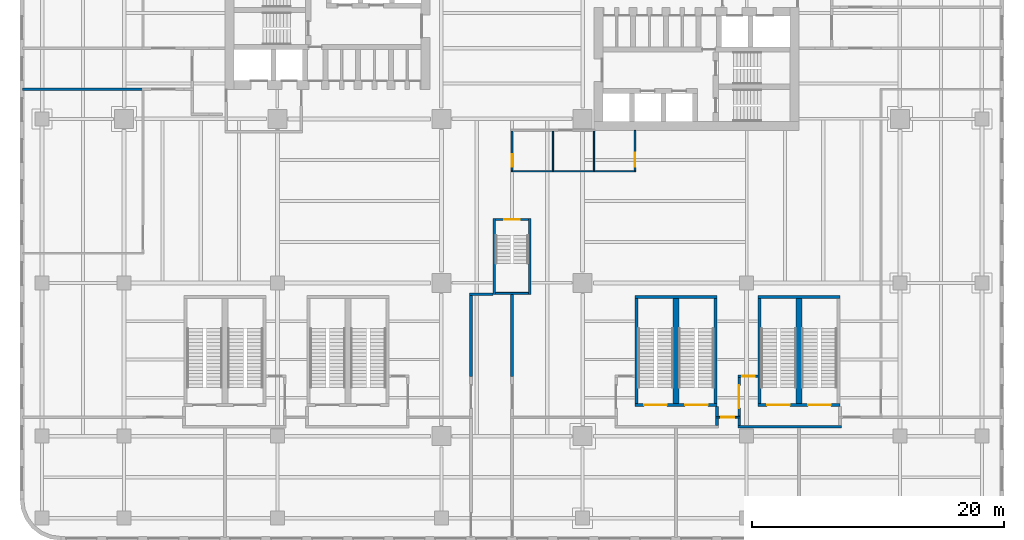
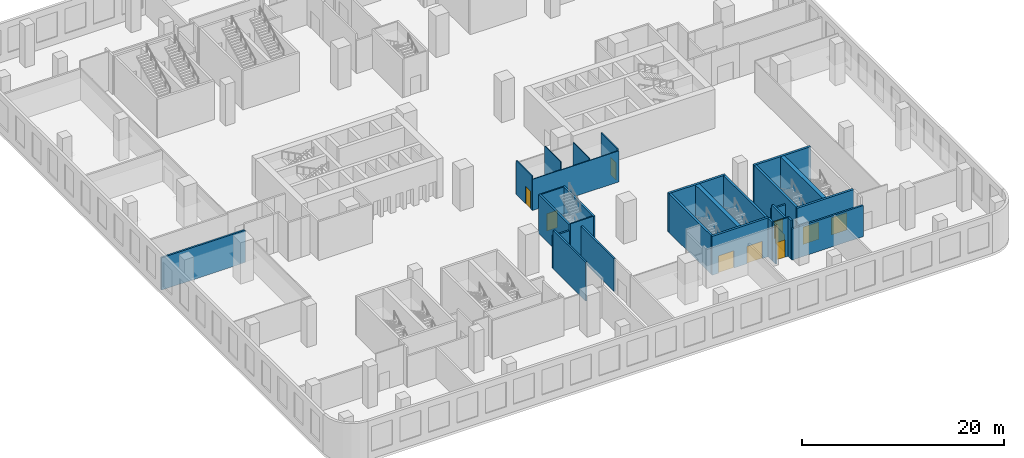
# One storey, part 7 of 17: 29 walls, 10 doors, 10 openings.
"""IFC4 building model written with IfcOpenShell, lengths in metres."""

import ifcopenshell
import ifcopenshell.guid

model = None  # the IFC model being written
_history = None  # IfcOwnerHistory: only IFC2X3 demands one
_inside = {}  # id of a spatial element -> (the spatial element, [elements in it])
_under = {}  # id of a project, library or spatial element -> (it, [spatial elements below it])
_declared = {}  # id of a project -> (the project, [libraries it declares])
_typed = {}  # id of a type object -> (the type object, [elements of that type])
_made_of = {}  # id of a material, layer set ... -> (it, [elements and type objects made of it])


def new_model(schema):
    """Start an empty IFC model of exactly this schema.

    Asked for "IFC4X3", IfcOpenShell would pick the latest addendum, in which some entities
    have other attributes; the version numbers below select the first issue.
    IFC2X3 requires an IfcOwnerHistory on every rooted entity: one is made here for all.
    """
    global model, _history
    if schema == "IFC4X3":
        model = ifcopenshell.file(schema_version=(4, 3, 0, 0))
    else:
        model = ifcopenshell.file(schema=schema)
    _inside.clear()
    _under.clear()
    _declared.clear()
    _typed.clear()
    _made_of.clear()
    _history = None
    if model.schema == "IFC2X3":
        org = make("IfcOrganization", Name="unknown")
        user = make(
            "IfcPersonAndOrganization",
            ThePerson=make("IfcPerson", FamilyName="unknown"),
            TheOrganization=org,
        )
        app = make(
            "IfcApplication",
            ApplicationDeveloper=org,
            Version="unknown",
            ApplicationFullName="unknown",
            ApplicationIdentifier="unknown",
        )
        _history = make(
            "IfcOwnerHistory",
            OwningUser=user,
            OwningApplication=app,
            ChangeAction="ADDED",
            CreationDate=0,
        )
    return model


def make(cls, **values):
    """One entity of the class cls with the attributes given. An attribute that is None is left unset."""
    return model.create_entity(
        cls, **{name: value for name, value in values.items() if value is not None}
    )


def rooted(cls, **values):
    """An entity with a GlobalId (a new one), such as an element, a storey or a relation."""
    return make(cls, GlobalId=ifcopenshell.guid.new(), OwnerHistory=_history, **values)


def si_unit(unit_type, name, prefix=None):
    """IfcSIUnit, for example si_unit("LENGTHUNIT", "METRE", prefix="MILLI")."""
    return make("IfcSIUnit", UnitType=unit_type, Prefix=prefix, Name=name)


def assignment(units):
    """IfcUnitAssignment: the units of a project."""
    return None if units is None else make("IfcUnitAssignment", Units=units)


def point(xyz):
    """IfcCartesianPoint."""
    return None if xyz is None else make("IfcCartesianPoint", Coordinates=xyz)


def direction(xyz):
    """IfcDirection."""
    return None if xyz is None else make("IfcDirection", DirectionRatios=xyz)


def frame(location, z_axis=None, x_axis=None):
    """IfcAxis2Placement3D, a coordinate frame: its origin and axes. An axis left out is left unset."""
    return make(
        "IfcAxis2Placement3D",
        Location=point(location),
        Axis=direction(z_axis),
        RefDirection=direction(x_axis),
    )


def frame_2d(location, x_axis=None):
    """IfcAxis2Placement2D, a coordinate frame in the plane: its origin and x axis."""
    return make(
        "IfcAxis2Placement2D", Location=point(location), RefDirection=direction(x_axis)
    )


def origin():
    """The frame at (0, 0, 0) with its axes left unset."""
    return frame((0.0, 0.0, 0.0))


def place(relative_to, where):
    """IfcLocalPlacement: puts the frame where relative to a parent placement (None: the world)."""
    return make(
        "IfcLocalPlacement", PlacementRelTo=relative_to, RelativePlacement=where
    )


def context(
    kind, dimensions, precision=None, world=None, true_north=None, identifier=None
):
    """IfcGeometricRepresentationContext, for example the 3D "Model" context."""
    return make(
        "IfcGeometricRepresentationContext",
        ContextIdentifier=identifier,
        ContextType=kind,
        CoordinateSpaceDimension=dimensions,
        Precision=precision,
        WorldCoordinateSystem=world,
        TrueNorth=true_north,
    )


def subcontext(parent, identifier, kind, view, scale=None):
    """IfcGeometricRepresentationSubContext, for example "Body" below "Model"."""
    return make(
        "IfcGeometricRepresentationSubContext",
        ContextIdentifier=identifier,
        ContextType=kind,
        ParentContext=parent,
        TargetScale=scale,
        TargetView=view,
    )


def project(units=None, contexts=None):
    """IfcProject with its units and contexts."""
    return rooted(
        "IfcProject",
        Name="project",
        RepresentationContexts=contexts,
        UnitsInContext=assignment(units),
    )


def spatial(cls, under=None, at=None, **own):
    """A site, building, storey or space (cls), placed at a placement, below another one or the project."""
    s = rooted(cls, ObjectPlacement=at, **own)
    if under is not None:
        _under.setdefault(under.id(), (under, []))[1].append(s)
    return s


def profile(cls, at=None, kind="AREA", **sizes):
    """A parametric profile (cls). Its sizes go by their IFC names, for example OverallWidth=200.0."""
    return make(cls, ProfileType=kind, Position=at, **sizes)


def rectangle(**sizes):
    """IfcRectangleProfileDef."""
    return profile("IfcRectangleProfileDef", **sizes)


def extrude(swept, where, along, depth):
    """IfcExtrudedAreaSolid: the profile swept, set in the frame where, extruded along a direction by depth."""
    return make(
        "IfcExtrudedAreaSolid",
        SweptArea=swept,
        Position=where,
        ExtrudedDirection=direction(along),
        Depth=depth,
    )


def shape(context_of_items, identifier, shape_type, items):
    """IfcShapeRepresentation: the items that make up one representation, for example the "Body"."""
    return make(
        "IfcShapeRepresentation",
        ContextOfItems=context_of_items,
        RepresentationIdentifier=identifier,
        RepresentationType=shape_type,
        Items=items,
    )


def source(mapping_origin, context_of_items, identifier, shape_type, items):
    """IfcRepresentationMap: a shape defined once, which mapped items show again and again."""
    return make(
        "IfcRepresentationMap",
        MappingOrigin=mapping_origin,
        MappedRepresentation=shape(context_of_items, identifier, shape_type, items),
    )


def transform(
    local_origin,
    x_axis=None,
    y_axis=None,
    z_axis=None,
    scale=None,
    scale2=None,
    scale3=None,
    uniform=True,
):
    """IfcCartesianTransformationOperator3D, or its non-uniform kind. x_axis, y_axis, z_axis: its Axis1, 2, 3."""
    if uniform:
        return make(
            "IfcCartesianTransformationOperator3D",
            Axis1=direction(x_axis),
            Axis2=direction(y_axis),
            LocalOrigin=point(local_origin),
            Scale=scale,
            Axis3=direction(z_axis),
        )
    return make(
        "IfcCartesianTransformationOperator3DnonUniform",
        Axis1=direction(x_axis),
        Axis2=direction(y_axis),
        LocalOrigin=point(local_origin),
        Scale=scale,
        Axis3=direction(z_axis),
        Scale2=scale2,
        Scale3=scale3,
    )


def mapped(mapping_source, mapping_target):
    """IfcMappedItem: shows the shape of a source again, moved by a transform."""
    return make(
        "IfcMappedItem", MappingSource=mapping_source, MappingTarget=mapping_target
    )


def material(Name=None, Category=None):
    """IfcMaterial."""
    return make("IfcMaterial", Name=Name, Category=Category)


def layer(
    of_material, thickness, ventilated=None, Name=None, Category=None, Priority=None
):
    """IfcMaterialLayer: one layer of a wall or slab, of a material (None: an air gap)."""
    return make(
        "IfcMaterialLayer",
        Material=of_material,
        LayerThickness=thickness,
        IsVentilated=ventilated,
        Name=Name,
        Category=Category,
        Priority=Priority,
    )


def layer_set(layers, Name=None):
    """IfcMaterialLayerSet."""
    return make("IfcMaterialLayerSet", MaterialLayers=layers, LayerSetName=Name)


def made_of(thing, what):
    """Note that an element or type object is made of a material, layer set ...; save() writes the relation."""
    if what is not None:
        _made_of.setdefault(what.id(), (what, []))[1].append(thing)
    return thing


def type_object(cls, material=None, **own):
    """A type object (cls), such as IfcWallType, which elements share."""
    return made_of(rooted(cls, **own), material)


def element(
    cls,
    number,
    at=None,
    inside=None,
    cuts=None,
    type_object=None,
    material=None,
    context=None,
    identifier="Body",
    shape_type=None,
    held_by="IfcProductDefinitionShape",
    body=None,
    shapes=None,
    **own,
):
    """One element of the class cls, such as IfcWall. Its Tag is "e" and its number.

    at: its placement. inside: the storey or other place that contains it. cuts: it is an
    opening in that element (IfcRelVoidsElement). A single representation is given by context,
    identifier, shape_type and body (its items); several are given by shapes. held_by: the class
    of the entity that holds the representations. save() writes the other relations.
    """
    e = rooted(cls, Tag="e%d" % number, ObjectPlacement=at, **own)
    if body is not None:
        shapes = [shape(context, identifier, shape_type, body)]
    if shapes is not None:
        e.Representation = make(held_by, Representations=shapes)
    if inside is not None:
        _inside.setdefault(inside.id(), (inside, []))[1].append(e)
    if cuts is not None:
        rooted(
            "IfcRelVoidsElement", RelatingBuildingElement=cuts, RelatedOpeningElement=e
        )
    if type_object is not None:
        _typed.setdefault(type_object.id(), (type_object, []))[1].append(e)
    return made_of(e, material)


def fill(opening, filler):
    """IfcRelFillsElement: the door or window that sits in an opening."""
    return rooted(
        "IfcRelFillsElement",
        RelatingOpeningElement=opening,
        RelatedBuildingElement=filler,
    )


def aggregate(whole, parts):
    """IfcRelAggregates: a whole, such as a stair, and the parts it consists of."""
    return rooted("IfcRelAggregates", RelatingObject=whole, RelatedObjects=parts)


def save(model, path):
    """Write the relations noted so far, then the file.

    IfcRelAggregates (storeys below a building ...), IfcRelContainedInSpatialStructure (elements
    in a storey), IfcRelDefinesByType, IfcRelAssociatesMaterial and IfcRelDeclares: one each for
    every whole, place, type object, material and project.
    """
    for whole, parts in _under.values():
        aggregate(whole, parts)
    for where, things in _inside.values():
        rooted(
            "IfcRelContainedInSpatialStructure",
            RelatedElements=things,
            RelatingStructure=where,
        )
    for kind, things in _typed.values():
        rooted("IfcRelDefinesByType", RelatedObjects=things, RelatingType=kind)
    for what, things in _made_of.values():
        rooted("IfcRelAssociatesMaterial", RelatedObjects=things, RelatingMaterial=what)
    for by, libraries in _declared.values():
        rooted("IfcRelDeclares", RelatingContext=by, RelatedDefinitions=libraries)
    model.write(path)


model = new_model("IFC4")

# Units and contexts
model_context = context("Model", 3, precision=1e-05, world=origin(), true_north=direction((0.0, 1.0)))
body_context = subcontext(model_context, "Body", "Model", "MODEL_VIEW")
ifc_project = project(units=[si_unit("LENGTHUNIT", "METRE"), si_unit("AREAUNIT", "SQUARE_METRE"), si_unit("VOLUMEUNIT", "CUBIC_METRE"), si_unit("PLANEANGLEUNIT", "RADIAN"), si_unit("MASSUNIT", "GRAM", prefix="KILO")], contexts=[model_context])

# Site, building, storey
site_placement = place(None, origin())
site = spatial("IfcSite", under=ifc_project, at=site_placement, CompositionType="ELEMENT")
building_placement = place(site_placement, origin())
building = spatial("IfcBuilding", under=site, at=building_placement, Name="Trellis Farm Tower", CompositionType="ELEMENT")
storey_placement = place(building_placement, frame((0.0, 0.0, 19.0)))
storey = spatial("IfcBuildingStorey", under=building, at=storey_placement, Name="L03", CompositionType="ELEMENT", Elevation=19.0)

# Walls
ifc_material_1 = material(Name="Concrete C80/95", Category="concrete")
ifc_layer_1 = layer(ifc_material_1, 0.199951171875)
ifc_layer_set_1 = layer_set([ifc_layer_1], Name="CORE STAIR ENCLOSURE WALL 200 CONCRETE C80/95")
wall_type_1 = type_object("IfcWallType", Name="CORE STAIR ENCLOSURE WALL 200 CONCRETE C80/95", PredefinedType="SHEAR", material=ifc_layer_set_1)
shared_shape_1 = source(origin(), body_context, "Body", "SweptSolid", [
    extrude(rectangle(XDim=6.0, YDim=0.199951171875, at=frame_2d((3.0, 0.0))), origin(), (0.0, 0.0, 1.0), 4.699951171875),
])
for number, where, z_axis, x_axis, name in (
    (1, (1.39990234375, -13.5, 0.0), (0.0, 0.0, 1.0), (0.0, -1.0, 0.0), "Stair enclosure wall"),
    (2, (-1.39990234375, -13.5, 0.0), (0.0, 0.0, 1.0), (0.0, -1.0, 0.0), "Stair enclosure wall"),
):
    element("IfcWall", number, at=place(storey_placement, frame(where, z_axis=z_axis, x_axis=x_axis)), inside=storey, type_object=wall_type_1, Name=name, PredefinedType="SHEAR", context=body_context, shape_type="MappedRepresentation", body=[
        mapped(shared_shape_1, transform((0.0, 0.0, 0.0))),
    ])

# Wall, opening, door
ifc_layer_2 = layer(ifc_material_1, 0.14990234375)
ifc_layer_set_2 = layer_set([ifc_layer_2], Name="CORE STAIR ENCLOSURE WALL 150 CONCRETE C80/95")
wall_type_2 = type_object("IfcWallType", Name="CORE STAIR ENCLOSURE WALL 150 CONCRETE C80/95", PredefinedType="SHEAR", material=ifc_layer_set_2)
shared_shape_2 = source(origin(), body_context, "Body", "SweptSolid", [
    extrude(rectangle(XDim=2.60009765625, YDim=0.14990234375, at=frame_2d((1.300048828125, 0.0))), origin(), (0.0, 0.0, 1.0), 4.699951171875),
])
wall_1_placement = place(storey_placement, frame((1.300048828125, -13.574951171875, 0.0), z_axis=(0.0, 0.0, 1.0), x_axis=(-1.0, 0.0, 0.0)))
wall_1 = element("IfcWall", 3, at=wall_1_placement, inside=storey, type_object=wall_type_2, Name="Stair enclosure wall", PredefinedType="SHEAR", context=body_context, shape_type="MappedRepresentation", body=[
    mapped(shared_shape_2, transform((0.0, 0.0, 0.0))),
])
shared_shape_3 = source(origin(), body_context, "Body", "SweptSolid", [
    extrude(rectangle(XDim=1.199951171875, YDim=2.10009765625, at=frame_2d((0.60009765625, 1.050048828125))), frame((0.0, 0.0849609375, 0.0), z_axis=(0.0, -1.0, 0.0), x_axis=(1.0, 0.0, 0.0)), (0.0, 0.0, 1.0), 0.169921875),
])
opening_1_placement = place(wall_1_placement, frame((0.699951171875, 0.0, 0.0)))
opening_1 = element("IfcOpeningElement", 4, at=opening_1_placement, cuts=wall_1, Name="Opening DC174", PredefinedType="OPENING", context=body_context, shape_type="MappedRepresentation", body=[
    mapped(shared_shape_3, transform((0.0, 0.0, 0.0))),
])
ifc_material_2 = material(Name="Steel", Category="steel")
door_type_1 = type_object("IfcDoorType", Name="CORE FIRE DOOR 1200 X 2100", OperationType="NOTDEFINED", PredefinedType="DOOR", material=ifc_material_2)
shared_shape_4 = source(origin(), body_context, "Body", "SweptSolid", [
    extrude(rectangle(XDim=1.199951171875, YDim=2.10009765625, at=frame_2d((0.60009765625, 1.050048828125))), frame((0.0, 0.02490234375, 0.0), z_axis=(0.0, -1.0, 0.0), x_axis=(1.0, 0.0, 0.0)), (0.0, 0.0, 1.0), 0.050048828125),
])
door_1_placement = place(opening_1_placement, origin())
door_1 = element("IfcDoor", 5, at=door_1_placement, inside=storey, type_object=door_type_1, Name="Core door", OperationType="SINGLE_SWING_RIGHT", OverallHeight=2.10009765625, OverallWidth=1.199951171875, PredefinedType="DOOR", context=body_context, shape_type="MappedRepresentation", body=[
    mapped(shared_shape_4, transform((0.0, 0.0, 0.0))),
])
fill(opening_1, door_1)

# Wall
wall_2_placement = place(storey_placement, frame((1.300048828125, -19.425048828125, 0.0), z_axis=(0.0, 0.0, 1.0), x_axis=(-1.0, 0.0, 0.0)))
element("IfcWall", 6, at=wall_2_placement, inside=storey, type_object=wall_type_2, Name="Stair enclosure wall", PredefinedType="SHEAR", context=body_context, shape_type="MappedRepresentation", body=[
    mapped(shared_shape_2, transform((0.0, 0.0, 0.0))),
])

# Wall, openings, doors
ifc_layer_3 = layer(ifc_material_1, 0.25)
ifc_layer_set_3 = layer_set([ifc_layer_3], Name="CORE STAIR ENCLOSURE WALL 250 CONCRETE C80/95")
wall_type_3 = type_object("IfcWallType", Name="CORE STAIR ENCLOSURE WALL 250 CONCRETE C80/95", PredefinedType="SHEAR", material=ifc_layer_set_3)
shared_shape_5 = source(origin(), body_context, "Body", "SweptSolid", [
    extrude(rectangle(XDim=6.5, YDim=0.25, at=frame_2d((3.25, 0.0))), origin(), (0.0, 0.0, 1.0), 4.699951171875),
])
wall_3_placement = place(storey_placement, frame((9.75, -28.27490234375, 0.0), z_axis=(0.0, 0.0, 1.0), x_axis=(1.0, 0.0, 0.0)))
wall_3 = element("IfcWall", 7, at=wall_3_placement, inside=storey, type_object=wall_type_3, Name="Podium stair enclosure wall", PredefinedType="SHEAR", context=body_context, shape_type="MappedRepresentation", body=[
    mapped(shared_shape_5, transform((0.0, 0.0, 0.0))),
])
shared_shape_6 = source(origin(), body_context, "Body", "SweptSolid", [
    extrude(rectangle(XDim=1.800048828125, YDim=2.10009765625, at=frame_2d((0.89990234375, 1.050048828125))), frame((0.0, 0.135009765625, 0.0), z_axis=(0.0, -1.0, 0.0), x_axis=(1.0, 0.0, 0.0)), (0.0, 0.0, 1.0), 0.27001953125),
])
opening_2_placement = place(wall_3_placement, frame((0.72509765625, 0.0, 0.0)))
opening_2 = element("IfcOpeningElement", 8, at=opening_2_placement, cuts=wall_3, Name="Opening DP13", PredefinedType="OPENING", context=body_context, shape_type="MappedRepresentation", body=[
    mapped(shared_shape_6, transform((0.0, 0.0, 0.0))),
])
opening_3_placement = place(wall_3_placement, frame((3.97509765625, 0.0, 0.0)))
opening_3 = element("IfcOpeningElement", 9, at=opening_3_placement, cuts=wall_3, Name="Opening DP14", PredefinedType="OPENING", context=body_context, shape_type="MappedRepresentation", body=[
    mapped(shared_shape_6, transform((0.0, 0.0, 0.0))),
])
door_type_2 = type_object("IfcDoorType", Name="CORE FIRE DOOR DOUBLE 1800 X 2100", OperationType="DOUBLE_DOOR_SINGLE_SWING", PredefinedType="DOOR", material=ifc_material_2)
shared_shape_7 = source(origin(), body_context, "Body", "SweptSolid", [
    extrude(rectangle(XDim=1.800048828125, YDim=2.10009765625, at=frame_2d((0.89990234375, 1.050048828125))), frame((0.0, 0.02490234375, 0.0), z_axis=(0.0, -1.0, 0.0), x_axis=(1.0, 0.0, 0.0)), (0.0, 0.0, 1.0), 0.050048828125),
])
door_2_placement = place(opening_2_placement, origin())
door_2 = element("IfcDoor", 10, at=door_2_placement, inside=storey, type_object=door_type_2, Name="Podium stair door", OperationType="DOUBLE_DOOR_SINGLE_SWING", OverallHeight=2.10009765625, OverallWidth=1.800048828125, PredefinedType="DOOR", context=body_context, shape_type="MappedRepresentation", body=[
    mapped(shared_shape_7, transform((0.0, 0.0, 0.0))),
])
fill(opening_2, door_2)
door_3_placement = place(opening_3_placement, origin())
door_3 = element("IfcDoor", 11, at=door_3_placement, inside=storey, type_object=door_type_2, Name="Podium stair door", OperationType="DOUBLE_DOOR_SINGLE_SWING", OverallHeight=2.10009765625, OverallWidth=1.800048828125, PredefinedType="DOOR", context=body_context, shape_type="MappedRepresentation", body=[
    mapped(shared_shape_7, transform((0.0, 0.0, 0.0))),
])
fill(opening_3, door_3)

# Wall
wall_4_placement = place(storey_placement, frame((9.75, -19.72509765625, 0.0), z_axis=(0.0, 0.0, 1.0), x_axis=(1.0, 0.0, 0.0)))
element("IfcWall", 12, at=wall_4_placement, inside=storey, type_object=wall_type_3, Name="Podium stair enclosure wall", PredefinedType="SHEAR", context=body_context, shape_type="MappedRepresentation", body=[
    mapped(shared_shape_5, transform((0.0, 0.0, 0.0))),
])

# Wall, openings, doors
wall_5_placement = place(storey_placement, frame((19.5, -28.27490234375, 0.0), z_axis=(0.0, 0.0, 1.0), x_axis=(1.0, 0.0, 0.0)))
wall_5 = element("IfcWall", 13, at=wall_5_placement, inside=storey, type_object=wall_type_3, Name="Podium stair enclosure wall", PredefinedType="SHEAR", context=body_context, shape_type="MappedRepresentation", body=[
    mapped(shared_shape_5, transform((0.0, 0.0, 0.0))),
])
opening_4_placement = place(wall_5_placement, frame((0.72509765625, 0.0, 0.0)))
opening_4 = element("IfcOpeningElement", 14, at=opening_4_placement, cuts=wall_5, Name="Opening DP15", PredefinedType="OPENING", context=body_context, shape_type="MappedRepresentation", body=[
    mapped(shared_shape_6, transform((0.0, 0.0, 0.0))),
])
opening_5_placement = place(wall_5_placement, frame((3.97509765625, 0.0, 0.0)))
opening_5 = element("IfcOpeningElement", 15, at=opening_5_placement, cuts=wall_5, Name="Opening DP16", PredefinedType="OPENING", context=body_context, shape_type="MappedRepresentation", body=[
    mapped(shared_shape_6, transform((0.0, 0.0, 0.0))),
])
door_4_placement = place(opening_4_placement, origin())
door_4 = element("IfcDoor", 16, at=door_4_placement, inside=storey, type_object=door_type_2, Name="Podium stair door", OperationType="DOUBLE_DOOR_SINGLE_SWING", OverallHeight=2.10009765625, OverallWidth=1.800048828125, PredefinedType="DOOR", context=body_context, shape_type="MappedRepresentation", body=[
    mapped(shared_shape_7, transform((0.0, 0.0, 0.0))),
])
fill(opening_4, door_4)
door_5_placement = place(opening_5_placement, origin())
door_5 = element("IfcDoor", 17, at=door_5_placement, inside=storey, type_object=door_type_2, Name="Podium stair door", OperationType="DOUBLE_DOOR_SINGLE_SWING", OverallHeight=2.10009765625, OverallWidth=1.800048828125, PredefinedType="DOOR", context=body_context, shape_type="MappedRepresentation", body=[
    mapped(shared_shape_7, transform((0.0, 0.0, 0.0))),
])
fill(opening_5, door_5)

# Walls
wall_6_placement = place(storey_placement, frame((19.5, -19.72509765625, 0.0), z_axis=(0.0, 0.0, 1.0), x_axis=(1.0, 0.0, 0.0)))
element("IfcWall", 18, at=wall_6_placement, inside=storey, type_object=wall_type_3, Name="Podium stair enclosure wall", PredefinedType="SHEAR", context=body_context, shape_type="MappedRepresentation", body=[
    mapped(shared_shape_5, transform((0.0, 0.0, 0.0))),
])
shared_shape_8 = source(origin(), body_context, "Body", "SweptSolid", [
    extrude(rectangle(XDim=8.2998046875, YDim=0.25, at=frame_2d((4.14990234375, 0.0))), origin(), (0.0, 0.0, 1.0), 4.699951171875),
])
for number, where, z_axis, x_axis, name in (
    (19, (9.875, -28.14990234375, 0.0), (0.0, 0.0, 1.0), (0.0, 1.0, 0.0), "Podium stair enclosure wall"),
    (20, (16.125, -28.14990234375, 0.0), (0.0, 0.0, 1.0), (0.0, 1.0, 0.0), "Podium stair enclosure wall"),
    (21, (19.625, -28.14990234375, 0.0), (0.0, 0.0, 1.0), (0.0, 1.0, 0.0), "Podium stair enclosure wall"),
):
    element("IfcWall", number, at=place(storey_placement, frame(where, z_axis=z_axis, x_axis=x_axis)), inside=storey, type_object=wall_type_3, Name=name, PredefinedType="SHEAR", context=body_context, shape_type="MappedRepresentation", body=[
        mapped(shared_shape_8, transform((0.0, 0.0, 0.0))),
    ])
ifc_layer_4 = layer(ifc_material_1, 0.43994140625)
ifc_layer_set_4 = layer_set([ifc_layer_4], Name="CORE STAIR ENCLOSURE WALL 440 CONCRETE C80/95")
wall_type_4 = type_object("IfcWallType", Name="CORE STAIR ENCLOSURE WALL 440 CONCRETE C80/95", PredefinedType="SHEAR", material=ifc_layer_set_4)
shared_shape_9 = source(origin(), body_context, "Body", "SweptSolid", [
    extrude(rectangle(XDim=8.2998046875, YDim=0.43994140625, at=frame_2d((4.14990234375, 0.0))), origin(), (0.0, 0.0, 1.0), 4.699951171875),
])
for number, where, z_axis, x_axis, name in (
    (22, (13.0, -28.14990234375, 0.0), (0.0, 0.0, 1.0), (0.0, 1.0, 0.0), "Podium stair enclosure wall"),
    (23, (22.75, -28.14990234375, 0.0), (0.0, 0.0, 1.0), (0.0, 1.0, 0.0), "Podium stair enclosure wall"),
):
    element("IfcWall", number, at=place(storey_placement, frame(where, z_axis=z_axis, x_axis=x_axis)), inside=storey, type_object=wall_type_4, Name=name, PredefinedType="SHEAR", context=body_context, shape_type="MappedRepresentation", body=[
        mapped(shared_shape_9, transform((0.0, 0.0, 0.0))),
    ])
ifc_material_3 = material(Name="Lightweight blockwork, plastered", Category="masonry")
ifc_layer_5 = layer(ifc_material_3, 0.199951171875)
ifc_layer_set_5 = layer_set([ifc_layer_5], Name="BLOCK WALL 200 EI 120")
wall_type_5 = type_object("IfcWallType", Name="BLOCK WALL 200 EI 120", PredefinedType="PARTITIONING", material=ifc_layer_set_5)
shared_shape_10 = source(origin(), body_context, "Body", "SweptSolid", [
    extrude(rectangle(XDim=0.78759765625, YDim=0.199951171875, at=frame_2d((0.393798828125, 0.0))), origin(), (0.0, 0.0, 1.0), 4.699951171875),
])
wall_7_placement = place(storey_placement, frame((16.25, -29.1875, 0.0), z_axis=(0.0, 0.0, 1.0), x_axis=(0.0, 1.0, 0.0)))
element("IfcWall", 24, at=wall_7_placement, inside=storey, type_object=wall_type_5, Name="Partition PW3", PredefinedType="PARTITIONING", context=body_context, shape_type="MappedRepresentation", body=[
    mapped(shared_shape_10, transform((0.0, 0.0, 0.0))),
])
shared_shape_11 = source(origin(), body_context, "Body", "SweptSolid", [
    extrude(rectangle(XDim=0.58740234375, YDim=0.199951171875, at=frame_2d((0.293701171875, 0.0))), origin(), (0.0, 0.0, 1.0), 4.699951171875),
])
for number, where, z_axis, x_axis, name in (
    (25, (16.25, -29.3125, 0.0), (0.0, 0.0, 1.0), (0.0, -1.0, 0.0), "Partition PW3"),
    (26, (18.0, -29.89990234375, 0.0), (0.0, 0.0, 1.0), (0.0, 1.0, 0.0), "Partition PW3"),
):
    element("IfcWall", number, at=place(storey_placement, frame(where, z_axis=z_axis, x_axis=x_axis)), inside=storey, type_object=wall_type_5, Name=name, PredefinedType="PARTITIONING", context=body_context, shape_type="MappedRepresentation", body=[
        mapped(shared_shape_11, transform((0.0, 0.0, 0.0))),
    ])

# Wall, opening, door
shared_shape_12 = source(origin(), body_context, "Body", "SweptSolid", [
    extrude(rectangle(XDim=3.08740234375, YDim=0.199951171875, at=frame_2d((1.543701171875, 0.0))), origin(), (0.0, 0.0, 1.0), 4.273681640625),
])
wall_8_placement = place(storey_placement, frame((18.0, -29.1875, 0.0), z_axis=(0.0, 0.0, 1.0), x_axis=(0.0, 1.0, 0.0)))
wall_8 = element("IfcWall", 27, at=wall_8_placement, inside=storey, type_object=wall_type_5, Name="Partition PW3", PredefinedType="PARTITIONING", context=body_context, shape_type="MappedRepresentation", body=[
    mapped(shared_shape_12, transform((0.0, 0.0, 0.0))),
])
shared_shape_13 = source(origin(), body_context, "Body", "SweptSolid", [
    extrude(rectangle(XDim=1.800048828125, YDim=2.10009765625, at=frame_2d((0.89990234375, 1.050048828125))), frame((0.0, 0.110107421875, 0.0), z_axis=(0.0, -1.0, 0.0), x_axis=(1.0, 0.0, 0.0)), (0.0, 0.0, 1.0), 0.22021484375),
])
opening_6_placement = place(wall_8_placement, frame((0.66259765625, 0.0, 0.0)))
opening_6 = element("IfcOpeningElement", 28, at=opening_6_placement, cuts=wall_8, Name="Opening D406", PredefinedType="OPENING", context=body_context, shape_type="MappedRepresentation", body=[
    mapped(shared_shape_13, transform((0.0, 0.0, 0.0))),
])
ifc_material_4 = material(Name="Fire-rated timber door leaf in a hollow metal frame", Category="wood")
door_type_3 = type_object("IfcDoorType", Name="DOOR PAIR 1800x2100 FD60", OperationType="NOTDEFINED", PredefinedType="DOOR", material=ifc_material_4)
door_6_placement = place(opening_6_placement, origin())
door_6 = element("IfcDoor", 29, at=door_6_placement, inside=storey, type_object=door_type_3, Name="Door D406", OperationType="DOUBLE_DOOR_SINGLE_SWING", OverallHeight=2.10009765625, OverallWidth=1.800048828125, PredefinedType="DOOR", context=body_context, shape_type="MappedRepresentation", body=[
    mapped(shared_shape_7, transform((0.0, 0.0, 0.0))),
])
fill(opening_6, door_6)

# Walls
shared_shape_14 = source(origin(), body_context, "Body", "SweptSolid", [
    extrude(rectangle(XDim=6.39990234375, YDim=0.199951171875, at=frame_2d((3.199951171875, 0.0))), origin(), (0.0, 0.0, 1.0), 4.699951171875),
])
wall_9_placement = place(storey_placement, frame((-3.25, -19.60009765625, 0.0), z_axis=(0.0, 0.0, 1.0), x_axis=(0.0, -1.0, 0.0)))
element("IfcWall", 30, at=wall_9_placement, inside=storey, type_object=wall_type_5, Name="Partition PW3", PredefinedType="PARTITIONING", context=body_context, shape_type="MappedRepresentation", body=[
    mapped(shared_shape_14, transform((0.0, 0.0, 0.0))),
])
shared_shape_15 = source(origin(), body_context, "Body", "SweptSolid", [
    extrude(rectangle(XDim=6.5, YDim=0.199951171875, at=frame_2d((3.25, 0.0))), origin(), (0.0, 0.0, 1.0), 3.996337890625),
])
wall_10_placement = place(storey_placement, frame((0.0, -19.5, 0.0), z_axis=(0.0, 0.0, 1.0), x_axis=(0.0, -1.0, 0.0)))
element("IfcWall", 31, at=wall_10_placement, inside=storey, type_object=wall_type_5, Name="Partition PW3", PredefinedType="PARTITIONING", context=body_context, shape_type="MappedRepresentation", body=[
    mapped(shared_shape_15, transform((0.0, 0.0, 0.0))),
])
shared_shape_16 = source(origin(), body_context, "Body", "SweptSolid", [
    extrude(rectangle(XDim=8.2001953125, YDim=0.199951171875, at=frame_2d((4.10009765625, 0.0))), origin(), (0.0, 0.0, 1.0), 3.76171875),
])
wall_11_placement = place(storey_placement, frame((26.10009765625, -30.0, 0.0), z_axis=(0.0, 0.0, 1.0), x_axis=(-1.0, 0.0, 0.0)))
element("IfcWall", 32, at=wall_11_placement, inside=storey, type_object=wall_type_5, Name="Partition PW3", PredefinedType="PARTITIONING", context=body_context, shape_type="MappedRepresentation", body=[
    mapped(shared_shape_16, transform((0.0, 0.0, 0.0))),
])

# Wall, opening, door
ifc_material_5 = material(Name="Plasterboard on steel studs, mineral wool", Category="steel")
ifc_layer_6 = layer(ifc_material_5, 0.125)
ifc_layer_set_6 = layer_set([ifc_layer_6], Name="PARTITION 125 STUD EI 60")
wall_type_6 = type_object("IfcWallType", Name="PARTITION 125 STUD EI 60", PredefinedType="PARTITIONING", material=ifc_layer_set_6)
shared_shape_17 = source(origin(), body_context, "Body", "SweptSolid", [
    extrude(rectangle(XDim=1.9501953125, YDim=0.125, at=frame_2d((0.97509765625, 0.0))), origin(), (0.0, 0.0, 1.0), 4.699951171875),
])
wall_12_placement = place(storey_placement, frame((18.10009765625, -29.25, 0.0), z_axis=(0.0, 0.0, 1.0), x_axis=(-1.0, 0.0, 0.0)))
wall_12 = element("IfcWall", 33, at=wall_12_placement, inside=storey, type_object=wall_type_6, Name="Partition PW1", PredefinedType="PARTITIONING", context=body_context, shape_type="MappedRepresentation", body=[
    mapped(shared_shape_17, transform((0.0, 0.0, 0.0))),
])
shared_shape_18 = source(origin(), body_context, "Body", "SweptSolid", [
    extrude(rectangle(XDim=1.0, YDim=2.10009765625, at=frame_2d((0.5, 1.050048828125))), frame((0.0, 0.072509765625, 0.0), z_axis=(0.0, -1.0, 0.0), x_axis=(1.0, 0.0, 0.0)), (0.0, 0.0, 1.0), 0.14501953125),
])
opening_7_placement = place(wall_12_placement, frame((0.5, 0.0, 0.0)))
opening_7 = element("IfcOpeningElement", 34, at=opening_7_placement, cuts=wall_12, Name="Opening D301", PredefinedType="OPENING", context=body_context, shape_type="MappedRepresentation", body=[
    mapped(shared_shape_18, transform((0.0, 0.0, 0.0))),
])
door_type_4 = type_object("IfcDoorType", Name="DOOR 1000x2100 FD60", OperationType="NOTDEFINED", PredefinedType="DOOR", material=ifc_material_4)
shared_shape_19 = source(origin(), body_context, "Body", "SweptSolid", [
    extrude(rectangle(XDim=1.0, YDim=2.10009765625, at=frame_2d((0.5, 1.050048828125))), frame((0.0, 0.02490234375, 0.0), z_axis=(0.0, -1.0, 0.0), x_axis=(1.0, 0.0, 0.0)), (0.0, 0.0, 1.0), 0.050048828125),
])
door_7_placement = place(opening_7_placement, origin())
door_7 = element("IfcDoor", 35, at=door_7_placement, inside=storey, type_object=door_type_4, Name="Door D301", OperationType="SINGLE_SWING_RIGHT", OverallHeight=2.10009765625, OverallWidth=1.0, PredefinedType="DOOR", context=body_context, shape_type="MappedRepresentation", body=[
    mapped(shared_shape_19, transform((0.0, 0.0, 0.0))),
])
fill(opening_7, door_7)

shared_shape_20 = source(origin(), body_context, "Body", "SweptSolid", [
    extrude(rectangle(XDim=1.60009765625, YDim=0.199951171875, at=frame_2d((0.800048828125, 0.0))), origin(), (0.0, 0.0, 1.0), 3.76171875),
])
wall_13_placement = place(storey_placement, frame((17.89990234375, -26.0, 0.0), z_axis=(0.0, 0.0, 1.0), x_axis=(1.0, 0.0, 0.0)))
wall_13 = element("IfcWall", 36, at=wall_13_placement, inside=storey, type_object=wall_type_5, Name="Partition PW3", PredefinedType="PARTITIONING", context=body_context, shape_type="MappedRepresentation", body=[
    mapped(shared_shape_20, transform((0.0, 0.0, 0.0))),
])
shared_shape_21 = source(origin(), body_context, "Body", "SweptSolid", [
    extrude(rectangle(XDim=1.0, YDim=2.10009765625, at=frame_2d((0.5, 1.050048828125))), frame((0.0, 0.110107421875, 0.0), z_axis=(0.0, -1.0, 0.0), x_axis=(1.0, 0.0, 0.0)), (0.0, 0.0, 1.0), 0.22021484375),
])
opening_8_placement = place(wall_13_placement, frame((0.35009765625, 0.0, 0.0)))
opening_8 = element("IfcOpeningElement", 37, at=opening_8_placement, cuts=wall_13, Name="Opening D305", PredefinedType="OPENING", context=body_context, shape_type="MappedRepresentation", body=[
    mapped(shared_shape_21, transform((0.0, 0.0, 0.0))),
])
door_8_placement = place(opening_8_placement, origin())
door_8 = element("IfcDoor", 38, at=door_8_placement, inside=storey, type_object=door_type_4, Name="Door D305", OperationType="SINGLE_SWING_LEFT", OverallHeight=2.10009765625, OverallWidth=1.0, PredefinedType="DOOR", context=body_context, shape_type="MappedRepresentation", body=[
    mapped(shared_shape_19, transform((0.0, 0.0, 0.0))),
])
fill(opening_8, door_8)

# Wall
shared_shape_22 = source(origin(), body_context, "Body", "SweptSolid", [
    extrude(rectangle(XDim=1.85009765625, YDim=0.199951171875, at=frame_2d((0.925048828125, 0.0))), origin(), (0.0, 0.0, 1.0), 3.996337890625),
])
wall_14_placement = place(storey_placement, frame((-3.35009765625, -19.5, 0.0), z_axis=(0.0, 0.0, 1.0), x_axis=(1.0, 0.0, 0.0)))
element("IfcWall", 39, at=wall_14_placement, inside=storey, type_object=wall_type_5, Name="Partition PW3", PredefinedType="PARTITIONING", context=body_context, shape_type="MappedRepresentation", body=[
    mapped(shared_shape_22, transform((0.0, 0.0, 0.0))),
])

# Wall, opening, door
shared_shape_23 = source(origin(), body_context, "Body", "SweptSolid", [
    extrude(rectangle(XDim=3.137451171875, YDim=0.125, at=frame_2d((1.56884765625, 0.0))), origin(), (0.0, 0.0, 1.0), 4.077392578125),
])
wall_15_placement = place(storey_placement, frame((0.0, -6.5625, 0.0), z_axis=(0.0, 0.0, 1.0), x_axis=(0.0, -1.0, 0.0)))
wall_15 = element("IfcWall", 40, at=wall_15_placement, inside=storey, type_object=wall_type_6, Name="Partition PW1", PredefinedType="PARTITIONING", context=body_context, shape_type="MappedRepresentation", body=[
    mapped(shared_shape_23, transform((0.0, 0.0, 0.0))),
])
opening_9_placement = place(wall_15_placement, frame((1.83740234375, 0.0, 0.0)))
opening_9 = element("IfcOpeningElement", 41, at=opening_9_placement, cuts=wall_15, Name="Opening D101", PredefinedType="OPENING", context=body_context, shape_type="MappedRepresentation", body=[
    mapped(shared_shape_18, transform((0.0, 0.0, 0.0))),
])
door_type_5 = type_object("IfcDoorType", Name="DOOR 1000x2100 FD30S", OperationType="NOTDEFINED", PredefinedType="DOOR", material=ifc_material_4)
door_9_placement = place(opening_9_placement, origin())
door_9 = element("IfcDoor", 42, at=door_9_placement, inside=storey, type_object=door_type_5, Name="Door D101", OperationType="SINGLE_SWING_RIGHT", OverallHeight=2.10009765625, OverallWidth=1.0, PredefinedType="DOOR", context=body_context, shape_type="MappedRepresentation", body=[
    mapped(shared_shape_19, transform((0.0, 0.0, 0.0))),
])
fill(opening_9, door_9)

# Walls
ifc_material_6 = material(Name="Plasterboard on steel studs", Category="steel")
ifc_layer_7 = layer(ifc_material_6, 0.10009765625)
ifc_layer_set_7 = layer_set([ifc_layer_7], Name="PARTITION 100 STUD EI 30")
wall_type_7 = type_object("IfcWallType", Name="PARTITION 100 STUD EI 30", PredefinedType="PARTITIONING", material=ifc_layer_set_7)
shared_shape_24 = source(origin(), body_context, "Body", "SweptSolid", [
    extrude(rectangle(XDim=3.137451171875, YDim=0.10009765625, at=frame_2d((1.56884765625, 0.0))), origin(), (0.0, 0.0, 1.0), 4.699951171875),
])
wall_16_placement = place(storey_placement, frame((3.25, -9.699951171875, 0.0), z_axis=(0.0, 0.0, 1.0), x_axis=(0.0, 1.0, 0.0)))
element("IfcWall", 43, at=wall_16_placement, inside=storey, type_object=wall_type_7, Name="Partition PW2", PredefinedType="PARTITIONING", context=body_context, shape_type="MappedRepresentation", body=[
    mapped(shared_shape_24, transform((0.0, 0.0, 0.0))),
])
shared_shape_25 = source(origin(), body_context, "Body", "SweptSolid", [
    extrude(rectangle(XDim=3.137451171875, YDim=0.10009765625, at=frame_2d((1.56884765625, 0.0))), origin(), (0.0, 0.0, 1.0), 3.996337890625),
])
wall_17_placement = place(storey_placement, frame((6.5, -9.699951171875, 0.0), z_axis=(0.0, 0.0, 1.0), x_axis=(0.0, 1.0, 0.0)))
element("IfcWall", 44, at=wall_17_placement, inside=storey, type_object=wall_type_7, Name="Partition PW2", PredefinedType="PARTITIONING", context=body_context, shape_type="MappedRepresentation", body=[
    mapped(shared_shape_25, transform((0.0, 0.0, 0.0))),
])

# Wall, opening, door
shared_shape_26 = source(origin(), body_context, "Body", "SweptSolid", [
    extrude(rectangle(XDim=3.199951171875, YDim=0.125, at=frame_2d((1.60009765625, 0.0))), origin(), (0.0, 0.0, 1.0), 3.996337890625),
])
wall_18_placement = place(storey_placement, frame((9.75, -9.699951171875, 0.0), z_axis=(0.0, 0.0, 1.0), x_axis=(0.0, 1.0, 0.0)))
wall_18 = element("IfcWall", 45, at=wall_18_placement, inside=storey, type_object=wall_type_6, Name="Partition PW1", PredefinedType="PARTITIONING", context=body_context, shape_type="MappedRepresentation", body=[
    mapped(shared_shape_26, transform((0.0, 0.0, 0.0))),
])
shared_shape_27 = source(origin(), body_context, "Body", "SweptSolid", [
    extrude(rectangle(XDim=1.10009765625, YDim=2.10009765625, at=frame_2d((0.550048828125, 1.050048828125))), frame((0.0, 0.072509765625, 0.0), z_axis=(0.0, -1.0, 0.0), x_axis=(1.0, 0.0, 0.0)), (0.0, 0.0, 1.0), 0.14501953125),
])
opening_10_placement = place(wall_18_placement, frame((0.300048828125, 0.0, 0.0)))
opening_10 = element("IfcOpeningElement", 46, at=opening_10_placement, cuts=wall_18, Name="Opening D501", PredefinedType="OPENING", context=body_context, shape_type="MappedRepresentation", body=[
    mapped(shared_shape_27, transform((0.0, 0.0, 0.0))),
])
door_type_6 = type_object("IfcDoorType", Name="DOOR 1100x2100 FD30S", OperationType="NOTDEFINED", PredefinedType="DOOR", material=ifc_material_4)
shared_shape_28 = source(origin(), body_context, "Body", "SweptSolid", [
    extrude(rectangle(XDim=1.10009765625, YDim=2.10009765625, at=frame_2d((0.550048828125, 1.050048828125))), frame((0.0, 0.02490234375, 0.0), z_axis=(0.0, -1.0, 0.0), x_axis=(1.0, 0.0, 0.0)), (0.0, 0.0, 1.0), 0.050048828125),
])
door_10_placement = place(opening_10_placement, origin())
door_10 = element("IfcDoor", 47, at=door_10_placement, inside=storey, type_object=door_type_6, Name="Door D501", OperationType="SINGLE_SWING_LEFT", OverallHeight=2.10009765625, OverallWidth=1.10009765625, PredefinedType="DOOR", context=body_context, shape_type="MappedRepresentation", body=[
    mapped(shared_shape_28, transform((0.0, 0.0, 0.0))),
])
fill(opening_10, door_10)

# Walls
shared_shape_29 = source(origin(), body_context, "Body", "SweptSolid", [
    extrude(rectangle(XDim=9.875, YDim=0.10009765625, at=frame_2d((4.9375, 0.0))), origin(), (0.0, 0.0, 1.0), 3.76171875),
])
wall_19_placement = place(storey_placement, frame((-0.0625, -9.75, 0.0), z_axis=(0.0, 0.0, 1.0), x_axis=(1.0, 0.0, 0.0)))
element("IfcWall", 48, at=wall_19_placement, inside=storey, type_object=wall_type_7, Name="Partition PW2", PredefinedType="PARTITIONING", context=body_context, shape_type="MappedRepresentation", body=[
    mapped(shared_shape_29, transform((0.0, 0.0, 0.0))),
])
shared_shape_30 = source(origin(), body_context, "Body", "SweptSolid", [
    extrude(rectangle(XDim=9.612548828125, YDim=0.199951171875, at=frame_2d((4.80615234375, 0.0))), origin(), (0.0, 0.0, 1.0), 3.917724609375),
])
wall_20_placement = place(storey_placement, frame((-29.1875, -3.25, 0.0), z_axis=(0.0, 0.0, 1.0), x_axis=(-1.0, 0.0, 0.0)))
element("IfcWall", 49, at=wall_20_placement, inside=storey, type_object=wall_type_5, Name="Partition PW3", PredefinedType="PARTITIONING", context=body_context, shape_type="MappedRepresentation", body=[
    mapped(shared_shape_30, transform((0.0, 0.0, 0.0))),
])

save(model, "model.ifc")
